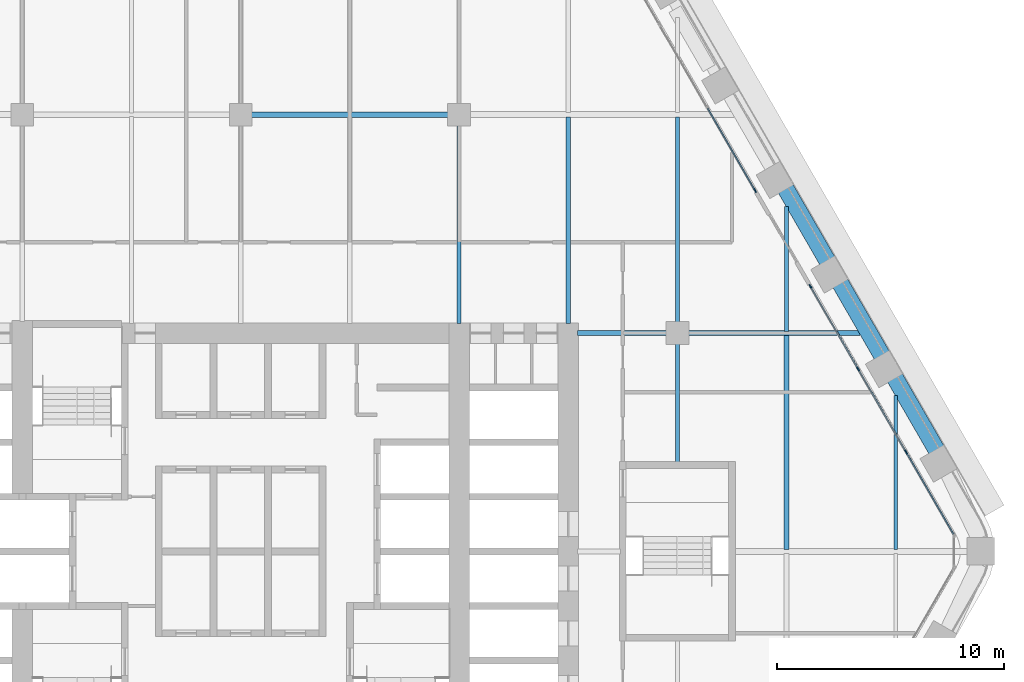
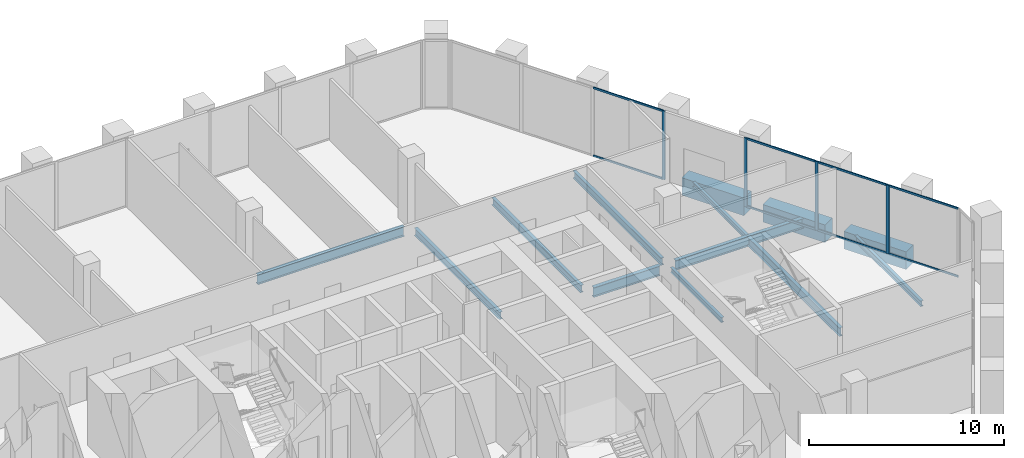
# One storey, part 8 of 23: 13 beams, 12 members, 2 elements without a shape of their own.
"""IFC4 building model written with IfcOpenShell, lengths in metres."""

import ifcopenshell
import ifcopenshell.guid

model = None  # the IFC model being written
_history = None  # IfcOwnerHistory: only IFC2X3 demands one
_inside = {}  # id of a spatial element -> (the spatial element, [elements in it])
_under = {}  # id of a project, library or spatial element -> (it, [spatial elements below it])
_declared = {}  # id of a project -> (the project, [libraries it declares])
_typed = {}  # id of a type object -> (the type object, [elements of that type])
_made_of = {}  # id of a material, layer set ... -> (it, [elements and type objects made of it])


def new_model(schema):
    """Start an empty IFC model of exactly this schema.

    Asked for "IFC4X3", IfcOpenShell would pick the latest addendum, in which some entities
    have other attributes; the version numbers below select the first issue.
    IFC2X3 requires an IfcOwnerHistory on every rooted entity: one is made here for all.
    """
    global model, _history
    if schema == "IFC4X3":
        model = ifcopenshell.file(schema_version=(4, 3, 0, 0))
    else:
        model = ifcopenshell.file(schema=schema)
    _inside.clear()
    _under.clear()
    _declared.clear()
    _typed.clear()
    _made_of.clear()
    _history = None
    if model.schema == "IFC2X3":
        org = make("IfcOrganization", Name="unknown")
        user = make(
            "IfcPersonAndOrganization",
            ThePerson=make("IfcPerson", FamilyName="unknown"),
            TheOrganization=org,
        )
        app = make(
            "IfcApplication",
            ApplicationDeveloper=org,
            Version="unknown",
            ApplicationFullName="unknown",
            ApplicationIdentifier="unknown",
        )
        _history = make(
            "IfcOwnerHistory",
            OwningUser=user,
            OwningApplication=app,
            ChangeAction="ADDED",
            CreationDate=0,
        )
    return model


def make(cls, **values):
    """One entity of the class cls with the attributes given. An attribute that is None is left unset."""
    return model.create_entity(
        cls, **{name: value for name, value in values.items() if value is not None}
    )


def rooted(cls, **values):
    """An entity with a GlobalId (a new one), such as an element, a storey or a relation."""
    return make(cls, GlobalId=ifcopenshell.guid.new(), OwnerHistory=_history, **values)


def si_unit(unit_type, name, prefix=None):
    """IfcSIUnit, for example si_unit("LENGTHUNIT", "METRE", prefix="MILLI")."""
    return make("IfcSIUnit", UnitType=unit_type, Prefix=prefix, Name=name)


def assignment(units):
    """IfcUnitAssignment: the units of a project."""
    return None if units is None else make("IfcUnitAssignment", Units=units)


def point(xyz):
    """IfcCartesianPoint."""
    return None if xyz is None else make("IfcCartesianPoint", Coordinates=xyz)


def direction(xyz):
    """IfcDirection."""
    return None if xyz is None else make("IfcDirection", DirectionRatios=xyz)


def frame(location, z_axis=None, x_axis=None):
    """IfcAxis2Placement3D, a coordinate frame: its origin and axes. An axis left out is left unset."""
    return make(
        "IfcAxis2Placement3D",
        Location=point(location),
        Axis=direction(z_axis),
        RefDirection=direction(x_axis),
    )


def frame_2d(location, x_axis=None):
    """IfcAxis2Placement2D, a coordinate frame in the plane: its origin and x axis."""
    return make(
        "IfcAxis2Placement2D", Location=point(location), RefDirection=direction(x_axis)
    )


def origin():
    """The frame at (0, 0, 0) with its axes left unset."""
    return frame((0.0, 0.0, 0.0))


def origin_2d():
    """The frame at (0, 0) in the plane with its x axis left unset."""
    return frame_2d((0.0, 0.0))


def place(relative_to, where):
    """IfcLocalPlacement: puts the frame where relative to a parent placement (None: the world)."""
    return make(
        "IfcLocalPlacement", PlacementRelTo=relative_to, RelativePlacement=where
    )


def context(
    kind, dimensions, precision=None, world=None, true_north=None, identifier=None
):
    """IfcGeometricRepresentationContext, for example the 3D "Model" context."""
    return make(
        "IfcGeometricRepresentationContext",
        ContextIdentifier=identifier,
        ContextType=kind,
        CoordinateSpaceDimension=dimensions,
        Precision=precision,
        WorldCoordinateSystem=world,
        TrueNorth=true_north,
    )


def subcontext(parent, identifier, kind, view, scale=None):
    """IfcGeometricRepresentationSubContext, for example "Body" below "Model"."""
    return make(
        "IfcGeometricRepresentationSubContext",
        ContextIdentifier=identifier,
        ContextType=kind,
        ParentContext=parent,
        TargetScale=scale,
        TargetView=view,
    )


def project(units=None, contexts=None):
    """IfcProject with its units and contexts."""
    return rooted(
        "IfcProject",
        Name="project",
        RepresentationContexts=contexts,
        UnitsInContext=assignment(units),
    )


def spatial(cls, under=None, at=None, **own):
    """A site, building, storey or space (cls), placed at a placement, below another one or the project."""
    s = rooted(cls, ObjectPlacement=at, **own)
    if under is not None:
        _under.setdefault(under.id(), (under, []))[1].append(s)
    return s


def profile(cls, at=None, kind="AREA", **sizes):
    """A parametric profile (cls). Its sizes go by their IFC names, for example OverallWidth=200.0."""
    return make(cls, ProfileType=kind, Position=at, **sizes)


def rectangle(**sizes):
    """IfcRectangleProfileDef."""
    return profile("IfcRectangleProfileDef", **sizes)


def i_section(**sizes):
    """IfcIShapeProfileDef."""
    return profile("IfcIShapeProfileDef", **sizes)


def extrude(swept, where, along, depth):
    """IfcExtrudedAreaSolid: the profile swept, set in the frame where, extruded along a direction by depth."""
    return make(
        "IfcExtrudedAreaSolid",
        SweptArea=swept,
        Position=where,
        ExtrudedDirection=direction(along),
        Depth=depth,
    )


def shape(context_of_items, identifier, shape_type, items):
    """IfcShapeRepresentation: the items that make up one representation, for example the "Body"."""
    return make(
        "IfcShapeRepresentation",
        ContextOfItems=context_of_items,
        RepresentationIdentifier=identifier,
        RepresentationType=shape_type,
        Items=items,
    )


def material(Name=None, Category=None):
    """IfcMaterial."""
    return make("IfcMaterial", Name=Name, Category=Category)


def material_profile(
    of_material, cross_section, Name=None, Category=None, Priority=None
):
    """IfcMaterialProfile: a cross section and its material."""
    return make(
        "IfcMaterialProfile",
        Name=Name,
        Material=of_material,
        Profile=cross_section,
        Priority=Priority,
        Category=Category,
    )


def profile_set(profiles, Name=None, composite=None):
    """IfcMaterialProfileSet."""
    return make(
        "IfcMaterialProfileSet",
        Name=Name,
        MaterialProfiles=profiles,
        CompositeProfile=composite,
    )


def made_of(thing, what):
    """Note that an element or type object is made of a material, layer set ...; save() writes the relation."""
    if what is not None:
        _made_of.setdefault(what.id(), (what, []))[1].append(thing)
    return thing


def type_object(cls, material=None, **own):
    """A type object (cls), such as IfcWallType, which elements share."""
    return made_of(rooted(cls, **own), material)


def element(
    cls,
    number,
    at=None,
    inside=None,
    cuts=None,
    type_object=None,
    material=None,
    context=None,
    identifier="Body",
    shape_type=None,
    held_by="IfcProductDefinitionShape",
    body=None,
    shapes=None,
    **own,
):
    """One element of the class cls, such as IfcWall. Its Tag is "e" and its number.

    at: its placement. inside: the storey or other place that contains it. cuts: it is an
    opening in that element (IfcRelVoidsElement). A single representation is given by context,
    identifier, shape_type and body (its items); several are given by shapes. held_by: the class
    of the entity that holds the representations. save() writes the other relations.
    """
    e = rooted(cls, Tag="e%d" % number, ObjectPlacement=at, **own)
    if body is not None:
        shapes = [shape(context, identifier, shape_type, body)]
    if shapes is not None:
        e.Representation = make(held_by, Representations=shapes)
    if inside is not None:
        _inside.setdefault(inside.id(), (inside, []))[1].append(e)
    if cuts is not None:
        rooted(
            "IfcRelVoidsElement", RelatingBuildingElement=cuts, RelatedOpeningElement=e
        )
    if type_object is not None:
        _typed.setdefault(type_object.id(), (type_object, []))[1].append(e)
    return made_of(e, material)


def aggregate(whole, parts):
    """IfcRelAggregates: a whole, such as a stair, and the parts it consists of."""
    return rooted("IfcRelAggregates", RelatingObject=whole, RelatedObjects=parts)


def save(model, path):
    """Write the relations noted so far, then the file.

    IfcRelAggregates (storeys below a building ...), IfcRelContainedInSpatialStructure (elements
    in a storey), IfcRelDefinesByType, IfcRelAssociatesMaterial and IfcRelDeclares: one each for
    every whole, place, type object, material and project.
    """
    for whole, parts in _under.values():
        aggregate(whole, parts)
    for where, things in _inside.values():
        rooted(
            "IfcRelContainedInSpatialStructure",
            RelatedElements=things,
            RelatingStructure=where,
        )
    for kind, things in _typed.values():
        rooted("IfcRelDefinesByType", RelatedObjects=things, RelatingType=kind)
    for what, things in _made_of.values():
        rooted("IfcRelAssociatesMaterial", RelatedObjects=things, RelatingMaterial=what)
    for by, libraries in _declared.values():
        rooted("IfcRelDeclares", RelatingContext=by, RelatedDefinitions=libraries)
    model.write(path)


model = new_model("IFC4")

# Units and contexts
model_context = context("Model", 3, precision=1e-05, world=origin(), true_north=direction((0.0, 1.0)))
body_context = subcontext(model_context, "Body", "Model", "MODEL_VIEW")
ifc_project = project(units=[si_unit("LENGTHUNIT", "METRE"), si_unit("AREAUNIT", "SQUARE_METRE"), si_unit("VOLUMEUNIT", "CUBIC_METRE"), si_unit("PLANEANGLEUNIT", "RADIAN"), si_unit("MASSUNIT", "GRAM", prefix="KILO")], contexts=[model_context])

# Site, building, storey
site_placement = place(None, origin())
site = spatial("IfcSite", under=ifc_project, at=site_placement, CompositionType="ELEMENT")
building_placement = place(site_placement, origin())
building = spatial("IfcBuilding", under=site, at=building_placement, Name="Kolab Exchange Tower", CompositionType="ELEMENT")
storey_placement = place(building_placement, frame((0.0, 0.0, 100.39990234375)))
storey = spatial("IfcBuildingStorey", under=building, at=storey_placement, Name="L19", CompositionType="ELEMENT", Elevation=100.39990234375)

# Beams
ifc_material_1 = material(Name="Steel S355", Category="steel")
ifc_material_profile_1 = material_profile(ifc_material_1, i_section(OverallWidth=0.1650390625, OverallDepth=0.31005859375, WebThickness=0.005859375, FlangeThickness=0.009765625, at=origin_2d()), Name="W310X39")
ifc_profile_set_1 = profile_set([ifc_material_profile_1], Name="Steel S355")
beam_type_1 = type_object("IfcBeamType", Name="FLOOR BEAM W310X39", PredefinedType="BEAM", material=ifc_profile_set_1)
beam_1_placement = place(storey_placement, frame((19.199951171875, 3.909912109375, -0.35498046875), z_axis=(0.0, 1.0, 0.0), x_axis=(-1.0, 0.0, 0.0)))
element("IfcBeam", 1, at=beam_1_placement, inside=storey, type_object=beam_type_1, Name="beam/L19/fr/043", PredefinedType="BEAM", context=body_context, shape_type="SweptSolid", body=[
    extrude(i_section(OverallWidth=0.1650390625, OverallDepth=0.31005859375, WebThickness=0.005859375, FlangeThickness=0.009765625, at=origin_2d()), origin(), (0.0, 0.0, 1.0), 5.22998046875),
])
beam_2_placement = place(storey_placement, frame((24.0, 9.674072265625, -0.35498046875), z_axis=(0.0, 1.0, 0.0), x_axis=(-1.0, 0.0, 0.0)))
element("IfcBeam", 2, at=beam_2_placement, inside=storey, type_object=beam_type_1, Name="beam/L19/fr/049", PredefinedType="BEAM", context=body_context, shape_type="SweptSolid", body=[
    extrude(i_section(OverallWidth=0.1650390625, OverallDepth=0.31005859375, WebThickness=0.005859375, FlangeThickness=0.009765625, at=origin_2d()), origin(), (0.0, 0.0, 1.0), 5.49365234375),
])
ifc_material_profile_2 = material_profile(ifc_material_1, i_section(OverallWidth=0.1708984375, OverallDepth=0.35498046875, WebThickness=0.007080078125, FlangeThickness=0.01171875, at=origin_2d()), Name="W360X51")
ifc_profile_set_2 = profile_set([ifc_material_profile_2], Name="Steel S355")
beam_type_2 = type_object("IfcBeamType", Name="FLOOR BEAM W360X51", PredefinedType="BEAM", material=ifc_profile_set_2)
beam_3_placement = place(storey_placement, frame((28.800048828125, 0.0869140625, -0.37744140625), z_axis=(0.0, 1.0, 0.0), x_axis=(-1.0, 0.0, 0.0)))
element("IfcBeam", 3, at=beam_3_placement, inside=storey, type_object=beam_type_2, Name="beam/L19/fr/051", PredefinedType="BEAM", context=body_context, shape_type="SweptSolid", body=[
    extrude(i_section(OverallWidth=0.1708984375, OverallDepth=0.35498046875, WebThickness=0.007080078125, FlangeThickness=0.01171875, at=origin_2d()), origin(), (0.0, 0.0, 1.0), 6.766845703125),
])
ifc_material_profile_3 = material_profile(ifc_material_1, i_section(OverallWidth=0.18994140625, OverallDepth=0.45703125, WebThickness=0.009033203125, FlangeThickness=0.014404296875, at=origin_2d()), Name="W460X74")
ifc_profile_set_3 = profile_set([ifc_material_profile_3], Name="Steel S355")
beam_type_3 = type_object("IfcBeamType", Name="FLOOR BEAM W460X74", PredefinedType="BEAM", material=ifc_profile_set_3)
beam_4_placement = place(storey_placement, frame((9.60009765625, 10.010009765625, -0.428466796875), z_axis=(0.0, 1.0, 0.0), x_axis=(-1.0, 0.0, 0.0)))
element("IfcBeam", 4, at=beam_4_placement, inside=storey, type_object=beam_type_3, Name="beam/L19/fr/034", PredefinedType="BEAM", context=body_context, shape_type="SweptSolid", body=[
    extrude(i_section(OverallWidth=0.18994140625, OverallDepth=0.45703125, WebThickness=0.009033203125, FlangeThickness=0.014404296875, at=origin_2d()), origin(), (0.0, 0.0, 1.0), 8.72998046875),
])
beam_5_placement = place(storey_placement, frame((14.39990234375, 10.010009765625, -0.428466796875), z_axis=(0.0, 1.0, 0.0), x_axis=(-1.0, 0.0, 0.0)))
element("IfcBeam", 5, at=beam_5_placement, inside=storey, type_object=beam_type_3, Name="beam/L19/fr/038", PredefinedType="BEAM", context=body_context, shape_type="SweptSolid", body=[
    extrude(i_section(OverallWidth=0.18994140625, OverallDepth=0.45703125, WebThickness=0.009033203125, FlangeThickness=0.014404296875, at=origin_2d()), origin(), (0.0, 0.0, 1.0), 9.096435546875),
])
beam_6_placement = place(storey_placement, frame((19.199951171875, 10.06005859375, -0.428466796875), z_axis=(0.0, 1.0, 0.0), x_axis=(-1.0, 0.0, 0.0)))
element("IfcBeam", 6, at=beam_6_placement, inside=storey, type_object=beam_type_3, Name="beam/L19/fr/044", PredefinedType="BEAM", context=body_context, shape_type="SweptSolid", body=[
    extrude(i_section(OverallWidth=0.18994140625, OverallDepth=0.45703125, WebThickness=0.009033203125, FlangeThickness=0.014404296875, at=origin_2d()), origin(), (0.0, 0.0, 1.0), 9.04638671875),
])
ifc_material_profile_4 = material_profile(ifc_material_1, i_section(OverallWidth=0.208984375, OverallDepth=0.532958984375, WebThickness=0.01025390625, FlangeThickness=0.015625, at=origin_2d()), Name="W530X92")
ifc_profile_set_4 = profile_set([ifc_material_profile_4], Name="Steel S355")
beam_type_4 = type_object("IfcBeamType", Name="FLOOR BEAM W530X92", PredefinedType="BEAM", material=ifc_profile_set_4)
beam_7_placement = place(storey_placement, frame((24.0, 0.0869140625, -0.46630859375), z_axis=(0.0, 1.0, 0.0), x_axis=(-1.0, 0.0, 0.0)))
element("IfcBeam", 7, at=beam_7_placement, inside=storey, type_object=beam_type_4, Name="beam/L19/fr/048", PredefinedType="BEAM", context=body_context, shape_type="SweptSolid", body=[
    extrude(i_section(OverallWidth=0.208984375, OverallDepth=0.532958984375, WebThickness=0.01025390625, FlangeThickness=0.015625, at=origin_2d()), origin(), (0.0, 0.0, 1.0), 9.43896484375),
])
ifc_material_profile_5 = material_profile(ifc_material_1, i_section(OverallWidth=0.22802734375, OverallDepth=0.60791015625, WebThickness=0.01123046875, FlangeThickness=0.017333984375, at=origin_2d()), Name="W610X113")
ifc_profile_set_5 = profile_set([ifc_material_profile_5], Name="Steel S355")
beam_type_5 = type_object("IfcBeamType", Name="FLOOR GIRDER W610X113", PredefinedType="BEAM", material=ifc_profile_set_5)
beam_8_placement = place(storey_placement, frame((0.4599609375, 19.199951171875, -0.50390625), z_axis=(1.0, 0.0, 0.0), x_axis=(0.0, 1.0, 0.0)))
element("IfcBeam", 8, at=beam_8_placement, inside=storey, type_object=beam_type_5, Name="beam/L19/gd/011", PredefinedType="BEAM", context=body_context, shape_type="SweptSolid", body=[
    extrude(i_section(OverallWidth=0.22802734375, OverallDepth=0.60791015625, WebThickness=0.01123046875, FlangeThickness=0.017333984375, at=origin_2d()), origin(), (0.0, 0.0, 1.0), 8.679931640625),
])
beam_9_placement = place(storey_placement, frame((14.81005859375, 9.60009765625, -0.50390625), z_axis=(1.0, 0.0, 0.0), x_axis=(0.0, 1.0, 0.0)))
element("IfcBeam", 9, at=beam_9_placement, inside=storey, type_object=beam_type_5, Name="beam/L19/gd/016", PredefinedType="BEAM", context=body_context, shape_type="SweptSolid", body=[
    extrude(i_section(OverallWidth=0.22802734375, OverallDepth=0.60791015625, WebThickness=0.01123046875, FlangeThickness=0.017333984375, at=origin_2d()), origin(), (0.0, 0.0, 1.0), 3.929931640625),
])
beam_10_placement = place(storey_placement, frame((19.659912109375, 9.60009765625, -0.50390625), z_axis=(1.0, 0.0, 0.0), x_axis=(0.0, 1.0, 0.0)))
element("IfcBeam", 10, at=beam_10_placement, inside=storey, type_object=beam_type_5, Name="beam/L19/gd/018", PredefinedType="BEAM", context=body_context, shape_type="SweptSolid", body=[
    extrude(i_section(OverallWidth=0.22802734375, OverallDepth=0.60791015625, WebThickness=0.01123046875, FlangeThickness=0.017333984375, at=origin_2d()), origin(), (0.0, 0.0, 1.0), 7.571533203125),
])
ifc_material_2 = material(Name="Concrete C70/85", Category="concrete")
ifc_material_profile_6 = material_profile(ifc_material_2, rectangle(XDim=0.75, YDim=1.10009765625, at=origin_2d()), Name="RC750X1100")
ifc_profile_set_6 = profile_set([ifc_material_profile_6], Name="Concrete C70/85")
beam_type_6 = type_object("IfcBeamType", Name="SPANDREL BEAM 750X1100 C70/85", PredefinedType="BEAM", material=ifc_profile_set_6)
beam_11_placement = place(storey_placement, frame((23.955322265625, 15.955322265625, -0.75), z_axis=(0.499963655964, -0.866046386007, 0.0), x_axis=(0.866046386007, 0.499963655964, 0.0)))
element("IfcBeam", 11, at=beam_11_placement, inside=storey, type_object=beam_type_6, Name="beam/L19/sp/F2-04", PredefinedType="BEAM", context=body_context, shape_type="SweptSolid", body=[
    extrude(rectangle(XDim=0.75, YDim=1.10009765625, at=origin_2d()), origin(), (0.0, 0.0, 1.0), 3.679931640625),
])
for number, where, z_axis, x_axis, name in (
    (12, (26.355224609375, 11.79833984375, -0.75), (0.500013413428, -0.866017659399, 0.0), (0.866017659399, 0.500013413428, 0.0), "beam/L19/sp/F2-05"),
    (13, (28.755126953125, 7.641357421875, -0.75), (0.500013413428, -0.866017659399, 0.0), (0.866017659399, 0.500013413428, 0.0), "beam/L19/sp/F2-06"),
):
    element("IfcBeam", number, at=place(storey_placement, frame(where, z_axis=z_axis, x_axis=x_axis)), inside=storey, type_object=beam_type_6, Name=name, PredefinedType="BEAM", context=body_context, shape_type="SweptSolid", body=[
        extrude(rectangle(XDim=0.75, YDim=1.10009765625, at=origin_2d()), origin(), (0.0, 0.0, 1.0), 3.68017578125),
    ])

# Curtain wall, member
ifc_material_3 = material(Name="Aluminium EN AW-6063 T6", Category="aluminium")
curtain_wall_type = type_object("IfcCurtainWallType", Name="UNITISED LOWER MID ZONE CURTAIN WALL", PredefinedType="NOTDEFINED", material=ifc_material_3)
curtain_wall_1_placement = place(storey_placement, origin())
curtain_wall_1 = element("IfcCurtainWall", 14, at=curtain_wall_1_placement, inside=storey, type_object=curtain_wall_type, Name="cw/L19/F2-1", PredefinedType="NOTDEFINED")
ifc_material_profile_7 = material_profile(ifc_material_3, rectangle(XDim=0.06005859375, YDim=0.179931640625, at=origin_2d()), Name="RECT 60X180")
ifc_profile_set_7 = profile_set([ifc_material_profile_7], Name="Aluminium EN AW-6063 T6")
member_type_1 = type_object("IfcMemberType", Name="UNITISED LOWER MID ZONE MULLION 60 X 180", PredefinedType="MULLION", material=ifc_profile_set_7)
member_1_placement = place(storey_placement, frame((22.61669921875, 15.86376953125, 0.0), z_axis=(0.0, 0.0, 1.0), x_axis=(0.866025393644, 0.500000017564, 0.0)))
member_1 = element("IfcMember", 15, at=member_1_placement, type_object=member_type_1, Name="CW2 mullion 4", PredefinedType="MULLION", context=body_context, shape_type="SweptSolid", body=[
    extrude(rectangle(XDim=0.06005859375, YDim=0.179931640625, at=origin_2d()), origin(), (0.0, 0.0, 1.0), 4.300048828125),
])

# Curtain wall, members
curtain_wall_2_placement = place(storey_placement, origin())
curtain_wall_2 = element("IfcCurtainWall", 16, at=curtain_wall_2_placement, inside=storey, type_object=curtain_wall_type, Name="cw/L19/F2-2", PredefinedType="NOTDEFINED")
member_2_placement = place(storey_placement, frame((25.046630859375, 11.65478515625, 0.0), z_axis=(0.0, 0.0, 1.0), x_axis=(0.866025427826, 0.499999958358, 0.0)))
member_2 = element("IfcMember", 17, at=member_2_placement, type_object=member_type_1, Name="CW2 mullion 1", PredefinedType="MULLION", context=body_context, shape_type="SweptSolid", body=[
    extrude(rectangle(XDim=0.06005859375, YDim=0.179931640625, at=origin_2d()), origin(), (0.0, 0.0, 1.0), 4.300048828125),
])
member_3_placement = place(storey_placement, frame((27.14306640625, 8.02392578125, 0.0), z_axis=(0.0, 0.0, 1.0), x_axis=(0.866025427826, 0.499999958358, 0.0)))
member_3 = element("IfcMember", 18, at=member_3_placement, type_object=member_type_1, Name="CW2 mullion 2", PredefinedType="MULLION", context=body_context, shape_type="SweptSolid", body=[
    extrude(rectangle(XDim=0.06005859375, YDim=0.179931640625, at=origin_2d()), origin(), (0.0, 0.0, 1.0), 4.300048828125),
])
member_4_placement = place(storey_placement, frame((29.25439453125, 4.366943359375, 0.0), z_axis=(0.0, 0.0, 1.0), x_axis=(0.866025427826, 0.499999958358, 0.0)))
member_4 = element("IfcMember", 19, at=member_4_placement, type_object=member_type_1, Name="CW2 mullion 3", PredefinedType="MULLION", context=body_context, shape_type="SweptSolid", body=[
    extrude(rectangle(XDim=0.06005859375, YDim=0.179931640625, at=origin_2d()), origin(), (0.0, 0.0, 1.0), 4.300048828125),
])

# Member
ifc_material_profile_8 = material_profile(ifc_material_3, rectangle(XDim=0.06005859375, YDim=0.1201171875, at=origin_2d()), Name="RECT 60X120")
ifc_profile_set_8 = profile_set([ifc_material_profile_8], Name="Aluminium EN AW-6063 T6")
member_type_2 = type_object("IfcMemberType", Name="UNITISED LOWER MID ZONE TRANSOM 60 X 120", PredefinedType="USERDEFINED", material=ifc_profile_set_8)
member_5_placement = place(storey_placement, frame((20.535400390625, 19.46875, 0.030029296875), z_axis=(0.499957688808, -0.866049830784, 0.0), x_axis=(0.866049830784, 0.499957688808, 0.0)))
member_5 = element("IfcMember", 20, at=member_5_placement, type_object=member_type_2, Name="CW2 transom 3.1", ObjectType="TRANSOM", PredefinedType="USERDEFINED", context=body_context, shape_type="SweptSolid", body=[
    extrude(rectangle(XDim=0.06005859375, YDim=0.1201171875, at=origin_2d()), origin(), (0.0, 0.0, 1.0), 4.132568359375),
])

member_6_placement = place(storey_placement, frame((20.535400390625, 19.46875, 4.27001953125), z_axis=(0.499957688808, -0.866049830784, 0.0), x_axis=(0.866049830784, 0.499957688808, 0.0)))
member_6 = element("IfcMember", 21, at=member_6_placement, type_object=member_type_2, Name="CW2 transom 3.2", ObjectType="TRANSOM", PredefinedType="USERDEFINED", context=body_context, shape_type="SweptSolid", body=[
    extrude(rectangle(XDim=0.06005859375, YDim=0.1201171875, at=origin_2d()), origin(), (0.0, 0.0, 1.0), 4.132568359375),
])

aggregate(curtain_wall_1, [member_1, member_5, member_6])

member_7_placement = place(storey_placement, frame((25.061767578125, 11.62890625, 0.030029296875), z_axis=(0.499957688808, -0.866049830784, 0.0), x_axis=(0.866049830784, 0.499957688808, 0.0)))
member_7 = element("IfcMember", 22, at=member_7_placement, type_object=member_type_2, Name="CW2 transom 1.1", ObjectType="TRANSOM", PredefinedType="USERDEFINED", context=body_context, shape_type="SweptSolid", body=[
    extrude(rectangle(XDim=0.06005859375, YDim=0.1201171875, at=origin_2d()), origin(), (0.0, 0.0, 1.0), 4.132568359375),
])

member_8_placement = place(storey_placement, frame((25.061767578125, 11.62890625, 4.27001953125), z_axis=(0.499957688808, -0.866049830784, 0.0), x_axis=(0.866049830784, 0.499957688808, 0.0)))
member_8 = element("IfcMember", 23, at=member_8_placement, type_object=member_type_2, Name="CW2 transom 1.2", ObjectType="TRANSOM", PredefinedType="USERDEFINED", context=body_context, shape_type="SweptSolid", body=[
    extrude(rectangle(XDim=0.06005859375, YDim=0.1201171875, at=origin_2d()), origin(), (0.0, 0.0, 1.0), 4.132568359375),
])

member_9_placement = place(storey_placement, frame((27.157958984375, 7.997802734375, 0.030029296875), z_axis=(0.49999322259, -0.866029316688, 0.0), x_axis=(0.866029316688, 0.49999322259, 0.0)))
member_9 = element("IfcMember", 24, at=member_9_placement, type_object=member_type_2, Name="CW2 transom 2.1", ObjectType="TRANSOM", PredefinedType="USERDEFINED", context=body_context, shape_type="SweptSolid", body=[
    extrude(rectangle(XDim=0.06005859375, YDim=0.1201171875, at=origin_2d()), origin(), (0.0, 0.0, 1.0), 4.16259765625),
])

member_10_placement = place(storey_placement, frame((27.157958984375, 7.997802734375, 4.27001953125), z_axis=(0.49999322259, -0.866029316688, 0.0), x_axis=(0.866029316688, 0.49999322259, 0.0)))
member_10 = element("IfcMember", 25, at=member_10_placement, type_object=member_type_2, Name="CW2 transom 2.2", ObjectType="TRANSOM", PredefinedType="USERDEFINED", context=body_context, shape_type="SweptSolid", body=[
    extrude(rectangle(XDim=0.06005859375, YDim=0.1201171875, at=origin_2d()), origin(), (0.0, 0.0, 1.0), 4.16259765625),
])

member_11_placement = place(storey_placement, frame((29.269287109375, 4.3408203125, 0.030029296875), z_axis=(0.500027577057, -0.866009481578, 0.0), x_axis=(0.866009481578, 0.500027577057, 0.0)))
member_11 = element("IfcMember", 26, at=member_11_placement, type_object=member_type_2, Name="CW2 transom 3.1", ObjectType="TRANSOM", PredefinedType="USERDEFINED", context=body_context, shape_type="SweptSolid", body=[
    extrude(rectangle(XDim=0.06005859375, YDim=0.1201171875, at=origin_2d()), origin(), (0.0, 0.0, 1.0), 4.132568359375),
])

member_12_placement = place(storey_placement, frame((29.269287109375, 4.3408203125, 4.27001953125), z_axis=(0.500027577057, -0.866009481578, 0.0), x_axis=(0.866009481578, 0.500027577057, 0.0)))
member_12 = element("IfcMember", 27, at=member_12_placement, type_object=member_type_2, Name="CW2 transom 3.2", ObjectType="TRANSOM", PredefinedType="USERDEFINED", context=body_context, shape_type="SweptSolid", body=[
    extrude(rectangle(XDim=0.06005859375, YDim=0.1201171875, at=origin_2d()), origin(), (0.0, 0.0, 1.0), 4.132568359375),
])

aggregate(curtain_wall_2, [member_2, member_3, member_4, member_7, member_8, member_9, member_10, member_11, member_12])

save(model, "model.ifc")
